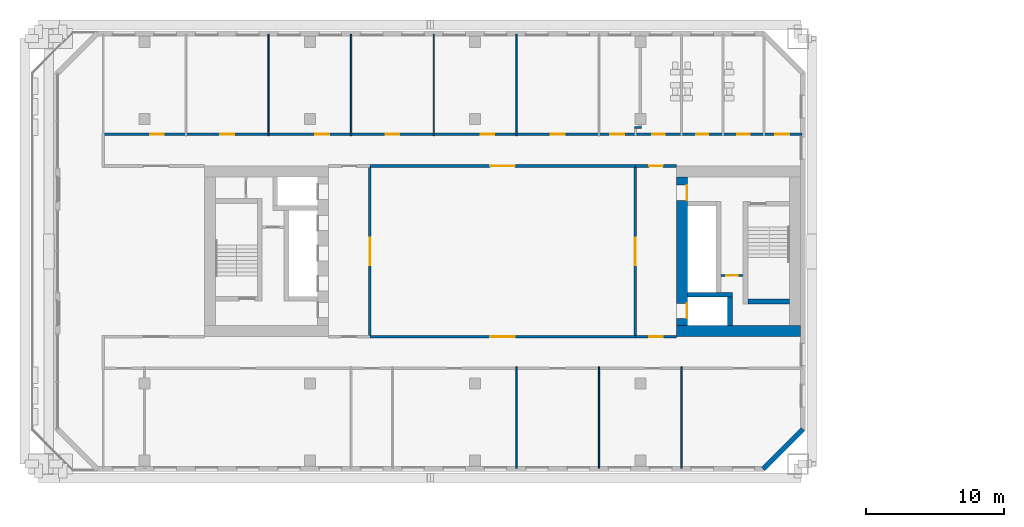
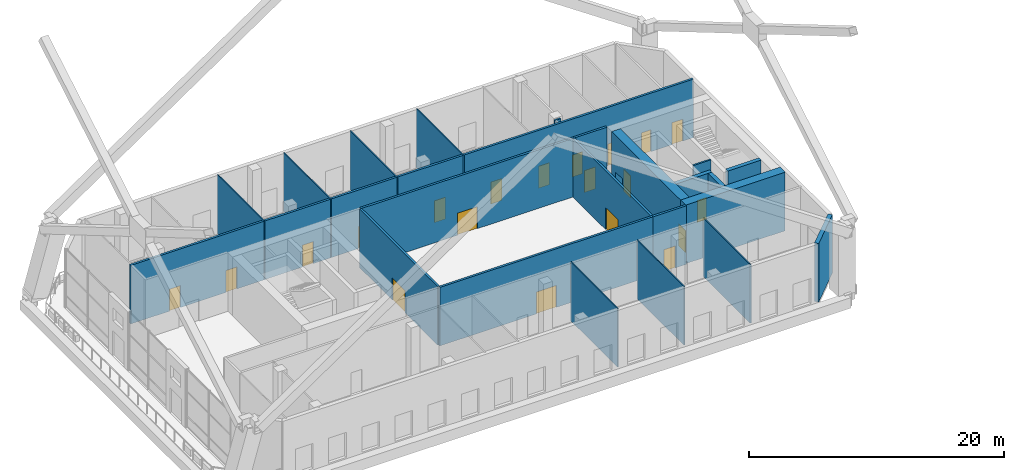
# One storey, part 11 of 20: 22 walls, 20 doors, 20 openings.
"""IFC4 building model written with IfcOpenShell, lengths in metres."""

from ifc_helpers import new_model, si_unit, direction, frame, frame_2d, origin, place, context, subcontext, project, spatial, rectangle, extrude, material, layer, layer_set, type_object, element, fill, save


model = new_model("IFC4")

# Units and contexts
model_context = context("Model", 3, precision=1e-05, world=origin(), true_north=direction((0.0, 1.0)))
body_context = subcontext(model_context, "Body", "Model", "MODEL_VIEW")
ifc_project = project(units=[si_unit("LENGTHUNIT", "METRE"), si_unit("AREAUNIT", "SQUARE_METRE"), si_unit("VOLUMEUNIT", "CUBIC_METRE"), si_unit("PLANEANGLEUNIT", "RADIAN"), si_unit("MASSUNIT", "GRAM", prefix="KILO")], contexts=[model_context])

# Site, building, storey
site_placement = place(None, origin())
site = spatial("IfcSite", under=ifc_project, at=site_placement, CompositionType="ELEMENT")
building_placement = place(site_placement, origin())
building = spatial("IfcBuilding", under=site, at=building_placement, Name="Tuart Gate Housing", CompositionType="ELEMENT")
storey_placement = place(building_placement, frame((0.0, 0.0, 38.10009765625)))
storey = spatial("IfcBuildingStorey", under=building, at=storey_placement, Name="L10", CompositionType="ELEMENT", Elevation=38.10009765625)

# Walls
ifc_material_1 = material(Name="Gypsum board on steel studs", Category="steel")
ifc_layer_1 = layer(ifc_material_1, 0.14990234375)
ifc_layer_set_1 = layer_set([ifc_layer_1], Name="Bathroom wall 150")
wall_type_1 = type_object("IfcWallType", Name="Bathroom wall 150", PredefinedType="PLUMBINGWALL", material=ifc_layer_set_1)
wall_1_placement = place(storey_placement, frame((63.56494140625, 79.0, 0.0), z_axis=(0.0, 0.0, 1.0), x_axis=(1.0, 0.0, 0.0)))
element("IfcWall", 1, at=wall_1_placement, inside=storey, type_object=wall_type_1, Name="Bathroom wall 150", PredefinedType="PLUMBINGWALL", context=body_context, shape_type="SweptSolid", body=[
    extrude(rectangle(XDim=0.510009765625, YDim=0.14990234375, at=frame_2d((0.2548828125, 0.0))), origin(), (0.0, 0.0, 1.0), 5.599853515625),
])
ifc_material_2 = material(Name="Brick", Category="masonry")
ifc_layer_2 = layer(ifc_material_2, 0.360107421875)
ifc_layer_set_2 = layer_set([ifc_layer_2], Name="Brick pier and spandrel wall 360")
wall_type_2 = type_object("IfcWallType", Name="Brick pier and spandrel wall 360", PredefinedType="STANDARD", material=ifc_layer_set_2)
wall_2_placement = place(storey_placement, frame((72.92529296875, 54.179931640625, 0.0), z_axis=(0.0, 0.0, 1.0), x_axis=(0.707106781187, 0.707106781187, 0.0)))
element("IfcWall", 2, at=wall_2_placement, inside=storey, type_object=wall_type_2, Name="External wall A-SE L10", PredefinedType="STANDARD", context=body_context, shape_type="SweptSolid", body=[
    extrude(rectangle(XDim=4.09375, YDim=0.360107421875, at=frame_2d((2.046875, 0.0))), origin(), (0.0, 0.0, 1.0), 5.599853515625),
])

# Wall, opening, door
ifc_material_3 = material(Name="Plasterboard partition")
ifc_layer_3 = layer(ifc_material_3, 0.14990234375)
ifc_layer_set_3 = layer_set([ifc_layer_3], Name="Core partition 150")
wall_type_3 = type_object("IfcWallType", Name="Core partition 150", PredefinedType="PARTITIONING", material=ifc_layer_set_3)
wall_3_placement = place(storey_placement, frame((69.864990234375, 68.25, 0.0), z_axis=(0.0, 0.0, 1.0), x_axis=(1.0, 0.0, 0.0)))
wall_3 = element("IfcWall", 3, at=wall_3_placement, inside=storey, type_object=wall_type_3, Name="Core partition AG.3", PredefinedType="PARTITIONING", context=body_context, shape_type="SweptSolid", body=[
    extrude(rectangle(XDim=1.60009765625, YDim=0.14990234375, at=frame_2d((0.800048828125, 0.0))), origin(), (0.0, 0.0, 1.0), 5.599853515625),
])
opening_1_placement = place(wall_3_placement, frame((0.375, 0.0, 0.0)))
opening_1 = element("IfcOpeningElement", 4, at=opening_1_placement, cuts=wall_3, Name="Opening D2805", PredefinedType="OPENING", context=body_context, shape_type="SweptSolid", body=[
    extrude(rectangle(XDim=0.85009765625, YDim=2.10009765625, at=frame_2d((0.425048828125, 1.050048828125))), frame((0.0, 0.0849609375, 0.0), z_axis=(0.0, -1.0, 0.0), x_axis=(1.0, 0.0, 0.0)), (0.0, 0.0, 1.0), 0.169921875),
])
ifc_material_4 = material(Name="Steel fire door", Category="steel")
door_type_1 = type_object("IfcDoorType", Name="Riser door 850 x 2100 RH", OperationType="SINGLE_SWING_RIGHT", PredefinedType="DOOR", material=ifc_material_4)
door_1_placement = place(opening_1_placement, frame((0.85009765625, 0.0, 0.0), z_axis=(0.0, 0.0, 1.0), x_axis=(-1.0, 0.0, 0.0)))
door_1 = element("IfcDoor", 5, at=door_1_placement, inside=storey, type_object=door_type_1, Name="Service room door AG.E1", OperationType="SINGLE_SWING_RIGHT", OverallHeight=2.10009765625, OverallWidth=0.85009765625, PredefinedType="DOOR", context=body_context, shape_type="SweptSolid", body=[
    extrude(rectangle(XDim=0.85009765625, YDim=2.10009765625, at=frame_2d((0.425048828125, 1.050048828125))), frame((0.0, 0.025146484375, 0.0), z_axis=(0.0, -1.0, 0.0), x_axis=(1.0, 0.0, 0.0)), (0.0, 0.0, 1.0), 0.050048828125),
])
fill(opening_1, door_1)

# Walls
ifc_material_5 = material(Name="Concrete C60", Category="concrete")
ifc_layer_4 = layer(ifc_material_5, 0.35009765625)
ifc_layer_set_4 = layer_set([ifc_layer_4], Name="Core wall 350 C60")
wall_type_4 = type_object("IfcWallType", Name="Core wall 350 C60", PredefinedType="SHEAR", material=ifc_layer_set_4)
wall_4_placement = place(storey_placement, frame((71.81494140625, 66.35009765625, 0.0), z_axis=(0.0, 0.0, 1.0), x_axis=(1.0, 0.0, 0.0)))
element("IfcWall", 6, at=wall_4_placement, inside=storey, type_object=wall_type_4, Name="Core wall AG.1", PredefinedType="SHEAR", context=body_context, shape_type="SweptSolid", body=[
    extrude(rectangle(XDim=3.025146484375, YDim=0.35009765625, at=frame_2d((1.5126953125, 0.0))), origin(), (0.0, 0.0, 1.0), 5.599853515625),
])
wall_5_placement = place(storey_placement, frame((67.43994140625, 66.85009765625, 0.0), z_axis=(0.0, 0.0, 1.0), x_axis=(1.0, 0.0, 0.0)))
element("IfcWall", 7, at=wall_5_placement, inside=storey, type_object=wall_type_4, Name="Core wall AG.2", PredefinedType="SHEAR", context=body_context, shape_type="SweptSolid", body=[
    extrude(rectangle(XDim=3.2451171875, YDim=0.35009765625, at=frame_2d((1.62255859375, 0.0))), origin(), (0.0, 0.0, 1.0), 5.599853515625),
])
wall_6_placement = place(storey_placement, frame((70.510009765625, 64.60009765625, 0.0), z_axis=(0.0, 0.0, 1.0), x_axis=(0.0, 1.0, 0.0)))
element("IfcWall", 8, at=wall_6_placement, inside=storey, type_object=wall_type_4, Name="Core wall AG.7", PredefinedType="SHEAR", context=body_context, shape_type="SweptSolid", body=[
    extrude(rectangle(XDim=2.074951171875, YDim=0.35009765625, at=frame_2d((1.03759765625, 0.0))), origin(), (0.0, 0.0, 1.0), 5.599853515625),
])

# Wall, openings, doors
ifc_material_6 = material(Name="Concrete C60", Category="concrete")
ifc_layer_5 = layer(ifc_material_6, 0.800048828125)
ifc_layer_set_5 = layer_set([ifc_layer_5], Name="Core wall 800 C60")
wall_type_5 = type_object("IfcWallType", Name="Core wall 800 C60", PredefinedType="SHEAR", material=ifc_layer_set_5)
wall_7_placement = place(storey_placement, frame((67.0400390625, 64.60009765625, 0.0), z_axis=(0.0, 0.0, 1.0), x_axis=(0.0, 1.0, 0.0)))
wall_7 = element("IfcWall", 9, at=wall_7_placement, inside=storey, type_object=wall_type_5, Name="Core wall AG front", PredefinedType="SHEAR", context=body_context, shape_type="SweptSolid", body=[
    extrude(rectangle(XDim=10.7998046875, YDim=0.800048828125, at=frame_2d((5.39990234375, 0.0))), origin(), (0.0, 0.0, 1.0), 5.599853515625),
])
opening_2_placement = place(wall_7_placement, frame((0.52490234375, 0.0, 0.0)))
opening_2 = element("IfcOpeningElement", 10, at=opening_2_placement, cuts=wall_7, Name="Opening LD-FA1", PredefinedType="OPENING", context=body_context, shape_type="SweptSolid", body=[
    extrude(rectangle(XDim=1.10009765625, YDim=2.10009765625, at=frame_2d((0.550048828125, 1.050048828125))), frame((0.0, 0.409912109375, 0.0), z_axis=(0.0, -1.0, 0.0), x_axis=(1.0, 0.0, 0.0)), (0.0, 0.0, 1.0), 0.820068359375),
])
opening_3_placement = place(wall_7_placement, frame((9.10009765625, 0.0, 0.0)))
opening_3 = element("IfcOpeningElement", 11, at=opening_3_placement, cuts=wall_7, Name="Opening D2804", PredefinedType="OPENING", context=body_context, shape_type="SweptSolid", body=[
    extrude(rectangle(XDim=1.10009765625, YDim=2.10009765625, at=frame_2d((0.550048828125, 1.050048828125))), frame((0.0, 0.409912109375, 0.0), z_axis=(0.0, -1.0, 0.0), x_axis=(1.0, 0.0, 0.0)), (0.0, 0.0, 1.0), 0.820068359375),
])
ifc_material_7 = material(Name="Stainless steel", Category="steel")
door_type_2 = type_object("IfcDoorType", Name="Landing door 1100 x 2100", OperationType="DOUBLE_DOOR_SLIDING", PredefinedType="DOOR", material=ifc_material_7)
door_2_placement = place(opening_2_placement, origin())
door_2 = element("IfcDoor", 12, at=door_2_placement, inside=storey, type_object=door_type_2, Name="Lift landing door FA1", OperationType="DOUBLE_DOOR_SLIDING", OverallHeight=2.10009765625, OverallWidth=1.10009765625, PredefinedType="DOOR", context=body_context, shape_type="SweptSolid", body=[
    extrude(rectangle(XDim=1.10009765625, YDim=2.10009765625, at=frame_2d((0.550048828125, 1.050048828125))), frame((0.0, -0.3349609375, 0.0), z_axis=(0.0, -1.0, 0.0), x_axis=(1.0, 0.0, 0.0)), (0.0, 0.0, 1.0), 0.050048828125),
])
fill(opening_2, door_2)
ifc_material_8 = material(Name="Steel fire door", Category="steel")
door_type_3 = type_object("IfcDoorType", Name="Lobby door 1100 x 2100 RH", OperationType="SINGLE_SWING_RIGHT", PredefinedType="DOOR", material=ifc_material_8)
door_3_placement = place(opening_3_placement, frame((1.10009765625, 0.0, 0.0), z_axis=(0.0, 0.0, 1.0), x_axis=(-1.0, 0.0, 0.0)))
door_3 = element("IfcDoor", 13, at=door_3_placement, inside=storey, type_object=door_type_3, Name="Lobby entry door AG.EN", OperationType="SINGLE_SWING_RIGHT", OverallHeight=2.10009765625, OverallWidth=1.10009765625, PredefinedType="DOOR", context=body_context, shape_type="SweptSolid", body=[
    extrude(rectangle(XDim=1.10009765625, YDim=2.10009765625, at=frame_2d((0.550048828125, 1.050048828125))), frame((0.0, 0.385009765625, 0.0), z_axis=(0.0, -1.0, 0.0), x_axis=(1.0, 0.0, 0.0)), (0.0, 0.0, 1.0), 0.050048828125),
])
fill(opening_3, door_3)

# Wall
wall_8_placement = place(storey_placement, frame((66.639892578125, 64.199951171875, 0.0), z_axis=(0.0, 0.0, 1.0), x_axis=(1.0, 0.0, 0.0)))
element("IfcWall", 14, at=wall_8_placement, inside=storey, type_object=wall_type_5, Name="Core wall AG south", PredefinedType="SHEAR", context=body_context, shape_type="SweptSolid", body=[
    extrude(rectangle(XDim=9.0, YDim=0.800048828125, at=frame_2d((4.5, 0.0))), origin(), (0.0, 0.0, 1.0), 5.599853515625),
])

# Wall, opening, door
ifc_material_9 = material(Name="Concrete masonry 15 MPa", Category="masonry")
ifc_layer_6 = layer(ifc_material_9, 0.199951171875)
ifc_layer_set_6 = layer_set([ifc_layer_6], Name="Corridor wall masonry 200")
wall_type_6 = type_object("IfcWallType", Name="Corridor wall masonry 200", PredefinedType="PARTITIONING", material=ifc_layer_set_6)
wall_9_placement = place(storey_placement, frame((44.360107421875, 63.800048828125, 0.0), z_axis=(0.0, 0.0, 1.0), x_axis=(1.0, 0.0, 0.0)))
wall_9 = element("IfcWall", 15, at=wall_9_placement, inside=storey, type_object=wall_type_6, Name="Corridor wall masonry 200", PredefinedType="PARTITIONING", context=body_context, shape_type="SweptSolid", body=[
    extrude(rectangle(XDim=19.27978515625, YDim=0.199951171875, at=frame_2d((9.639892578125, 0.0))), origin(), (0.0, 0.0, 1.0), 5.599853515625),
])
opening_4_placement = place(wall_9_placement, frame((8.739990234375, 0.0, 0.0)))
opening_4 = element("IfcOpeningElement", 16, at=opening_4_placement, cuts=wall_9, Name="Opening D2810", PredefinedType="OPENING", context=body_context, shape_type="SweptSolid", body=[
    extrude(rectangle(XDim=1.800048828125, YDim=2.10009765625, at=frame_2d((0.89990234375, 1.050048828125))), frame((0.0, 0.10986328125, 0.0), z_axis=(0.0, -1.0, 0.0), x_axis=(1.0, 0.0, 0.0)), (0.0, 0.0, 1.0), 0.219970703125),
])
ifc_material_10 = material(Name="Timber door leaf in steel frame", Category="steel")
door_type_4 = type_object("IfcDoorType", Name="Double door 1800", OperationType="DOUBLE_DOOR_SINGLE_SWING", PredefinedType="DOOR", material=ifc_material_10)
door_4_placement = place(opening_4_placement, origin())
door_4 = element("IfcDoor", 17, at=door_4_placement, inside=storey, type_object=door_type_4, Name="Double door 1800", OperationType="DOUBLE_DOOR_SINGLE_SWING", OverallHeight=2.10009765625, OverallWidth=1.800048828125, PredefinedType="DOOR", context=body_context, shape_type="SweptSolid", body=[
    extrude(rectangle(XDim=1.800048828125, YDim=2.10009765625, at=frame_2d((0.89990234375, 1.050048828125))), frame((0.0, 0.02490234375, 0.0), z_axis=(0.0, -1.0, 0.0), x_axis=(1.0, 0.0, 0.0)), (0.0, 0.0, 1.0), 0.050048828125),
])
fill(opening_4, door_4)

wall_10_placement = place(storey_placement, frame((44.360107421875, 76.199951171875, 0.0), z_axis=(0.0, 0.0, 1.0), x_axis=(1.0, 0.0, 0.0)))
wall_10 = element("IfcWall", 18, at=wall_10_placement, inside=storey, type_object=wall_type_6, Name="Corridor wall masonry 200", PredefinedType="PARTITIONING", context=body_context, shape_type="SweptSolid", body=[
    extrude(rectangle(XDim=19.27978515625, YDim=0.199951171875, at=frame_2d((9.639892578125, 0.0))), origin(), (0.0, 0.0, 1.0), 5.599853515625),
])
opening_5_placement = place(wall_10_placement, frame((8.739990234375, 0.0, 0.0)))
opening_5 = element("IfcOpeningElement", 19, at=opening_5_placement, cuts=wall_10, Name="Opening D2795", PredefinedType="OPENING", context=body_context, shape_type="SweptSolid", body=[
    extrude(rectangle(XDim=1.800048828125, YDim=2.10009765625, at=frame_2d((0.89990234375, 1.050048828125))), frame((0.0, 0.10986328125, 0.0), z_axis=(0.0, -1.0, 0.0), x_axis=(1.0, 0.0, 0.0)), (0.0, 0.0, 1.0), 0.219970703125),
])
door_5_placement = place(opening_5_placement, frame((1.800048828125, 0.0, 0.0), z_axis=(0.0, 0.0, 1.0), x_axis=(-1.0, 0.0, 0.0)))
door_5 = element("IfcDoor", 20, at=door_5_placement, inside=storey, type_object=door_type_4, Name="Double door 1800", OperationType="DOUBLE_DOOR_SINGLE_SWING", OverallHeight=2.10009765625, OverallWidth=1.800048828125, PredefinedType="DOOR", context=body_context, shape_type="SweptSolid", body=[
    extrude(rectangle(XDim=1.800048828125, YDim=2.10009765625, at=frame_2d((0.900146484375, 1.050048828125))), frame((0.0, 0.025146484375, 0.0), z_axis=(0.0, -1.0, 0.0), x_axis=(1.0, 0.0, 0.0)), (0.0, 0.0, 1.0), 0.050048828125),
])
fill(opening_5, door_5)

# Wall, openings, doors
wall_11_placement = place(storey_placement, frame((24.89990234375, 78.5, 0.0), z_axis=(0.0, 0.0, 1.0), x_axis=(1.0, 0.0, 0.0)))
wall_11 = element("IfcWall", 21, at=wall_11_placement, inside=storey, type_object=wall_type_6, Name="Corridor wall masonry 200", PredefinedType="PARTITIONING", context=body_context, shape_type="SweptSolid", body=[
    extrude(rectangle(XDim=50.860107421875, YDim=0.199951171875, at=frame_2d((25.43017578125, 0.0))), origin(), (0.0, 0.0, 1.0), 5.599853515625),
])
opening_6_placement = place(wall_11_placement, frame((3.5, 0.0, 0.0)))
opening_6 = element("IfcOpeningElement", 22, at=opening_6_placement, cuts=wall_11, Name="Opening D2782", PredefinedType="OPENING", context=body_context, shape_type="SweptSolid", body=[
    extrude(rectangle(XDim=1.0, YDim=2.10009765625, at=frame_2d((0.5, 1.050048828125))), frame((0.0, 0.10986328125, 0.0), z_axis=(0.0, -1.0, 0.0), x_axis=(1.0, 0.0, 0.0)), (0.0, 0.0, 1.0), 0.219970703125),
])
opening_7_placement = place(wall_11_placement, frame((8.60009765625, 0.0, 0.0)))
opening_7 = element("IfcOpeningElement", 23, at=opening_7_placement, cuts=wall_11, Name="Opening D2783", PredefinedType="OPENING", context=body_context, shape_type="SweptSolid", body=[
    extrude(rectangle(XDim=1.0, YDim=2.10009765625, at=frame_2d((0.5, 1.050048828125))), frame((0.0, 0.10986328125, 0.0), z_axis=(0.0, -1.0, 0.0), x_axis=(1.0, 0.0, 0.0)), (0.0, 0.0, 1.0), 0.219970703125),
])
opening_8_placement = place(wall_11_placement, frame((15.5, 0.0, 0.0)))
opening_8 = element("IfcOpeningElement", 24, at=opening_8_placement, cuts=wall_11, Name="Opening D2784", PredefinedType="OPENING", context=body_context, shape_type="SweptSolid", body=[
    extrude(rectangle(XDim=1.0, YDim=2.10009765625, at=frame_2d((0.5, 1.050048828125))), frame((0.0, 0.10986328125, 0.0), z_axis=(0.0, -1.0, 0.0), x_axis=(1.0, 0.0, 0.0)), (0.0, 0.0, 1.0), 0.219970703125),
])
opening_9_placement = place(wall_11_placement, frame((20.60009765625, 0.0, 0.0)))
opening_9 = element("IfcOpeningElement", 25, at=opening_9_placement, cuts=wall_11, Name="Opening D2785", PredefinedType="OPENING", context=body_context, shape_type="SweptSolid", body=[
    extrude(rectangle(XDim=1.0, YDim=2.10009765625, at=frame_2d((0.5, 1.050048828125))), frame((0.0, 0.10986328125, 0.0), z_axis=(0.0, -1.0, 0.0), x_axis=(1.0, 0.0, 0.0)), (0.0, 0.0, 1.0), 0.219970703125),
])
opening_10_placement = place(wall_11_placement, frame((27.5, 0.0, 0.0)))
opening_10 = element("IfcOpeningElement", 26, at=opening_10_placement, cuts=wall_11, Name="Opening D2786", PredefinedType="OPENING", context=body_context, shape_type="SweptSolid", body=[
    extrude(rectangle(XDim=1.0, YDim=2.10009765625, at=frame_2d((0.5, 1.050048828125))), frame((0.0, 0.10986328125, 0.0), z_axis=(0.0, -1.0, 0.0), x_axis=(1.0, 0.0, 0.0)), (0.0, 0.0, 1.0), 0.219970703125),
])
opening_11_placement = place(wall_11_placement, frame((32.60009765625, 0.0, 0.0)))
opening_11 = element("IfcOpeningElement", 27, at=opening_11_placement, cuts=wall_11, Name="Opening D2787", PredefinedType="OPENING", context=body_context, shape_type="SweptSolid", body=[
    extrude(rectangle(XDim=1.0, YDim=2.10009765625, at=frame_2d((0.5, 1.050048828125))), frame((0.0, 0.10986328125, 0.0), z_axis=(0.0, -1.0, 0.0), x_axis=(1.0, 0.0, 0.0)), (0.0, 0.0, 1.0), 0.219970703125),
])
opening_12_placement = place(wall_11_placement, frame((36.919921875, 0.0, 0.0)))
opening_12 = element("IfcOpeningElement", 28, at=opening_12_placement, cuts=wall_11, Name="Opening D2788", PredefinedType="OPENING", context=body_context, shape_type="SweptSolid", body=[
    extrude(rectangle(XDim=1.0, YDim=2.10009765625, at=frame_2d((0.5, 1.050048828125))), frame((0.0, 0.10986328125, 0.0), z_axis=(0.0, -1.0, 0.0), x_axis=(1.0, 0.0, 0.0)), (0.0, 0.0, 1.0), 0.219970703125),
])
opening_13_placement = place(wall_11_placement, frame((39.969970703125, 0.0, 0.0)))
opening_13 = element("IfcOpeningElement", 29, at=opening_13_placement, cuts=wall_11, Name="Opening D2790", PredefinedType="OPENING", context=body_context, shape_type="SweptSolid", body=[
    extrude(rectangle(XDim=0.89990234375, YDim=2.10009765625, at=frame_2d((0.449951171875, 1.050048828125))), frame((0.0, 0.10986328125, 0.0), z_axis=(0.0, -1.0, 0.0), x_axis=(1.0, 0.0, 0.0)), (0.0, 0.0, 1.0), 0.219970703125),
])
opening_14_placement = place(wall_11_placement, frame((43.14990234375, 0.0, 0.0)))
opening_14 = element("IfcOpeningElement", 30, at=opening_14_placement, cuts=wall_11, Name="Opening D2791", PredefinedType="OPENING", context=body_context, shape_type="SweptSolid", body=[
    extrude(rectangle(XDim=0.89990234375, YDim=2.10009765625, at=frame_2d((0.449951171875, 1.050048828125))), frame((0.0, 0.10986328125, 0.0), z_axis=(0.0, -1.0, 0.0), x_axis=(1.0, 0.0, 0.0)), (0.0, 0.0, 1.0), 0.219970703125),
])
opening_15_placement = place(wall_11_placement, frame((46.14990234375, 0.0, 0.0)))
opening_15 = element("IfcOpeningElement", 31, at=opening_15_placement, cuts=wall_11, Name="Opening D2792", PredefinedType="OPENING", context=body_context, shape_type="SweptSolid", body=[
    extrude(rectangle(XDim=0.89990234375, YDim=2.10009765625, at=frame_2d((0.449951171875, 1.050048828125))), frame((0.0, 0.10986328125, 0.0), z_axis=(0.0, -1.0, 0.0), x_axis=(1.0, 0.0, 0.0)), (0.0, 0.0, 1.0), 0.219970703125),
])
opening_16_placement = place(wall_11_placement, frame((48.919921875, 0.0, 0.0)))
opening_16 = element("IfcOpeningElement", 32, at=opening_16_placement, cuts=wall_11, Name="Opening D2789", PredefinedType="OPENING", context=body_context, shape_type="SweptSolid", body=[
    extrude(rectangle(XDim=1.0, YDim=2.10009765625, at=frame_2d((0.5, 1.050048828125))), frame((0.0, 0.10986328125, 0.0), z_axis=(0.0, -1.0, 0.0), x_axis=(1.0, 0.0, 0.0)), (0.0, 0.0, 1.0), 0.219970703125),
])
ifc_material_11 = material(Name="Timber door leaf in steel frame", Category="steel")
door_type_5 = type_object("IfcDoorType", Name="Fire door 1000", OperationType="SINGLE_SWING_LEFT", PredefinedType="DOOR", material=ifc_material_11)
door_6_placement = place(opening_7_placement, origin())
door_6 = element("IfcDoor", 33, at=door_6_placement, inside=storey, type_object=door_type_5, Name="Fire door 1000", OperationType="SINGLE_SWING_LEFT", OverallHeight=2.10009765625, OverallWidth=1.0, PredefinedType="DOOR", context=body_context, shape_type="SweptSolid", body=[
    extrude(rectangle(XDim=1.0, YDim=2.10009765625, at=frame_2d((0.5, 1.050048828125))), frame((0.0, 0.02490234375, 0.0), z_axis=(0.0, -1.0, 0.0), x_axis=(1.0, 0.0, 0.0)), (0.0, 0.0, 1.0), 0.050048828125),
])
fill(opening_7, door_6)
door_7_placement = place(opening_9_placement, origin())
door_7 = element("IfcDoor", 34, at=door_7_placement, inside=storey, type_object=door_type_5, Name="Fire door 1000", OperationType="SINGLE_SWING_LEFT", OverallHeight=2.10009765625, OverallWidth=1.0, PredefinedType="DOOR", context=body_context, shape_type="SweptSolid", body=[
    extrude(rectangle(XDim=1.0, YDim=2.10009765625, at=frame_2d((0.5, 1.050048828125))), frame((0.0, 0.02490234375, 0.0), z_axis=(0.0, -1.0, 0.0), x_axis=(1.0, 0.0, 0.0)), (0.0, 0.0, 1.0), 0.050048828125),
])
fill(opening_9, door_7)
door_8_placement = place(opening_11_placement, origin())
door_8 = element("IfcDoor", 35, at=door_8_placement, inside=storey, type_object=door_type_5, Name="Fire door 1000", OperationType="SINGLE_SWING_LEFT", OverallHeight=2.10009765625, OverallWidth=1.0, PredefinedType="DOOR", context=body_context, shape_type="SweptSolid", body=[
    extrude(rectangle(XDim=1.0, YDim=2.10009765625, at=frame_2d((0.5, 1.050048828125))), frame((0.0, 0.02490234375, 0.0), z_axis=(0.0, -1.0, 0.0), x_axis=(1.0, 0.0, 0.0)), (0.0, 0.0, 1.0), 0.050048828125),
])
fill(opening_11, door_8)
door_9_placement = place(opening_12_placement, origin())
door_9 = element("IfcDoor", 36, at=door_9_placement, inside=storey, type_object=door_type_5, Name="Fire door 1000", OperationType="SINGLE_SWING_LEFT", OverallHeight=2.10009765625, OverallWidth=1.0, PredefinedType="DOOR", context=body_context, shape_type="SweptSolid", body=[
    extrude(rectangle(XDim=1.0, YDim=2.10009765625, at=frame_2d((0.5, 1.050048828125))), frame((0.0, 0.02490234375, 0.0), z_axis=(0.0, -1.0, 0.0), x_axis=(1.0, 0.0, 0.0)), (0.0, 0.0, 1.0), 0.050048828125),
])
fill(opening_12, door_9)
door_10_placement = place(opening_16_placement, origin())
door_10 = element("IfcDoor", 37, at=door_10_placement, inside=storey, type_object=door_type_5, Name="Fire door 1000", OperationType="SINGLE_SWING_LEFT", OverallHeight=2.10009765625, OverallWidth=1.0, PredefinedType="DOOR", context=body_context, shape_type="SweptSolid", body=[
    extrude(rectangle(XDim=1.0, YDim=2.10009765625, at=frame_2d((0.5, 1.050048828125))), frame((0.0, 0.02490234375, 0.0), z_axis=(0.0, -1.0, 0.0), x_axis=(1.0, 0.0, 0.0)), (0.0, 0.0, 1.0), 0.050048828125),
])
fill(opening_16, door_10)
ifc_material_12 = material(Name="Timber door leaf in steel frame", Category="steel")
door_type_6 = type_object("IfcDoorType", Name="Fire door 1000 RH", OperationType="SINGLE_SWING_RIGHT", PredefinedType="DOOR", material=ifc_material_12)
door_11_placement = place(opening_6_placement, origin())
door_11 = element("IfcDoor", 38, at=door_11_placement, inside=storey, type_object=door_type_6, Name="Fire door 1000", OperationType="SINGLE_SWING_RIGHT", OverallHeight=2.10009765625, OverallWidth=1.0, PredefinedType="DOOR", context=body_context, shape_type="SweptSolid", body=[
    extrude(rectangle(XDim=1.0, YDim=2.10009765625, at=frame_2d((0.5, 1.050048828125))), frame((0.0, 0.02490234375, 0.0), z_axis=(0.0, -1.0, 0.0), x_axis=(1.0, 0.0, 0.0)), (0.0, 0.0, 1.0), 0.050048828125),
])
fill(opening_6, door_11)
door_12_placement = place(opening_8_placement, origin())
door_12 = element("IfcDoor", 39, at=door_12_placement, inside=storey, type_object=door_type_6, Name="Fire door 1000", OperationType="SINGLE_SWING_RIGHT", OverallHeight=2.10009765625, OverallWidth=1.0, PredefinedType="DOOR", context=body_context, shape_type="SweptSolid", body=[
    extrude(rectangle(XDim=1.0, YDim=2.10009765625, at=frame_2d((0.5, 1.050048828125))), frame((0.0, 0.02490234375, 0.0), z_axis=(0.0, -1.0, 0.0), x_axis=(1.0, 0.0, 0.0)), (0.0, 0.0, 1.0), 0.050048828125),
])
fill(opening_8, door_12)
door_13_placement = place(opening_10_placement, origin())
door_13 = element("IfcDoor", 40, at=door_13_placement, inside=storey, type_object=door_type_6, Name="Fire door 1000", OperationType="SINGLE_SWING_RIGHT", OverallHeight=2.10009765625, OverallWidth=1.0, PredefinedType="DOOR", context=body_context, shape_type="SweptSolid", body=[
    extrude(rectangle(XDim=1.0, YDim=2.10009765625, at=frame_2d((0.5, 1.050048828125))), frame((0.0, 0.02490234375, 0.0), z_axis=(0.0, -1.0, 0.0), x_axis=(1.0, 0.0, 0.0)), (0.0, 0.0, 1.0), 0.050048828125),
])
fill(opening_10, door_13)
ifc_material_13 = material(Name="Timber door leaf in steel frame", Category="steel")
door_type_7 = type_object("IfcDoorType", Name="Fire door 900", OperationType="SINGLE_SWING_LEFT", PredefinedType="DOOR", material=ifc_material_13)
door_14_placement = place(opening_13_placement, origin())
door_14 = element("IfcDoor", 41, at=door_14_placement, inside=storey, type_object=door_type_7, Name="Fire door 900", OperationType="SINGLE_SWING_LEFT", OverallHeight=2.10009765625, OverallWidth=0.89990234375, PredefinedType="DOOR", context=body_context, shape_type="SweptSolid", body=[
    extrude(rectangle(XDim=0.89990234375, YDim=2.10009765625, at=frame_2d((0.449951171875, 1.050048828125))), frame((0.0, 0.02490234375, 0.0), z_axis=(0.0, -1.0, 0.0), x_axis=(1.0, 0.0, 0.0)), (0.0, 0.0, 1.0), 0.050048828125),
])
fill(opening_13, door_14)
door_15_placement = place(opening_14_placement, origin())
door_15 = element("IfcDoor", 42, at=door_15_placement, inside=storey, type_object=door_type_7, Name="Fire door 900", OperationType="SINGLE_SWING_LEFT", OverallHeight=2.10009765625, OverallWidth=0.89990234375, PredefinedType="DOOR", context=body_context, shape_type="SweptSolid", body=[
    extrude(rectangle(XDim=0.89990234375, YDim=2.10009765625, at=frame_2d((0.449951171875, 1.050048828125))), frame((0.0, 0.02490234375, 0.0), z_axis=(0.0, -1.0, 0.0), x_axis=(1.0, 0.0, 0.0)), (0.0, 0.0, 1.0), 0.050048828125),
])
fill(opening_14, door_15)
door_16_placement = place(opening_15_placement, origin())
door_16 = element("IfcDoor", 43, at=door_16_placement, inside=storey, type_object=door_type_7, Name="Fire door 900", OperationType="SINGLE_SWING_LEFT", OverallHeight=2.10009765625, OverallWidth=0.89990234375, PredefinedType="DOOR", context=body_context, shape_type="SweptSolid", body=[
    extrude(rectangle(XDim=0.89990234375, YDim=2.10009765625, at=frame_2d((0.449951171875, 1.050048828125))), frame((0.0, 0.02490234375, 0.0), z_axis=(0.0, -1.0, 0.0), x_axis=(1.0, 0.0, 0.0)), (0.0, 0.0, 1.0), 0.050048828125),
])
fill(opening_15, door_16)

# Wall, opening, door
ifc_material_14 = material(Name="Concrete masonry 15 MPa", Category="masonry")
ifc_layer_7 = layer(ifc_material_14, 0.199951171875)
ifc_layer_set_7 = layer_set([ifc_layer_7], Name="Enclosure wall masonry 200")
wall_type_7 = type_object("IfcWallType", Name="Enclosure wall masonry 200", PredefinedType="PARTITIONING", material=ifc_layer_set_7)
wall_12_placement = place(storey_placement, frame((63.639892578125, 63.800048828125, 0.0), z_axis=(0.0, 0.0, 1.0), x_axis=(1.0, 0.0, 0.0)))
wall_12 = element("IfcWall", 44, at=wall_12_placement, inside=storey, type_object=wall_type_7, Name="Enclosure wall masonry 200", PredefinedType="PARTITIONING", context=body_context, shape_type="SweptSolid", body=[
    extrude(rectangle(XDim=3.0, YDim=0.199951171875, at=frame_2d((1.5, 0.0))), origin(), (0.0, 0.0, 1.0), 5.599853515625),
])
opening_17_placement = place(wall_12_placement, frame((1.0, 0.0, 0.0)))
opening_17 = element("IfcOpeningElement", 45, at=opening_17_placement, cuts=wall_12, Name="Opening D2811", PredefinedType="OPENING", context=body_context, shape_type="SweptSolid", body=[
    extrude(rectangle(XDim=1.0, YDim=2.10009765625, at=frame_2d((0.5, 1.050048828125))), frame((0.0, 0.10986328125, 0.0), z_axis=(0.0, -1.0, 0.0), x_axis=(1.0, 0.0, 0.0)), (0.0, 0.0, 1.0), 0.219970703125),
])
ifc_material_15 = material(Name="Timber door leaf in steel frame", Category="steel")
door_type_8 = type_object("IfcDoorType", Name="Lobby door 1000", OperationType="SINGLE_SWING_LEFT", PredefinedType="DOOR", material=ifc_material_15)
door_17_placement = place(opening_17_placement, origin())
door_17 = element("IfcDoor", 46, at=door_17_placement, inside=storey, type_object=door_type_8, Name="Lobby door 1000", OperationType="SINGLE_SWING_LEFT", OverallHeight=2.10009765625, OverallWidth=1.0, PredefinedType="DOOR", context=body_context, shape_type="SweptSolid", body=[
    extrude(rectangle(XDim=1.0, YDim=2.10009765625, at=frame_2d((0.5, 1.050048828125))), frame((0.0, 0.02490234375, 0.0), z_axis=(0.0, -1.0, 0.0), x_axis=(1.0, 0.0, 0.0)), (0.0, 0.0, 1.0), 0.050048828125),
])
fill(opening_17, door_17)

wall_13_placement = place(storey_placement, frame((63.639892578125, 76.199951171875, 0.0), z_axis=(0.0, 0.0, 1.0), x_axis=(1.0, 0.0, 0.0)))
wall_13 = element("IfcWall", 47, at=wall_13_placement, inside=storey, type_object=wall_type_7, Name="Enclosure wall masonry 200", PredefinedType="PARTITIONING", context=body_context, shape_type="SweptSolid", body=[
    extrude(rectangle(XDim=3.0, YDim=0.199951171875, at=frame_2d((1.5, 0.0))), origin(), (0.0, 0.0, 1.0), 5.599853515625),
])
opening_18_placement = place(wall_13_placement, frame((1.0, 0.0, 0.0)))
opening_18 = element("IfcOpeningElement", 48, at=opening_18_placement, cuts=wall_13, Name="Opening D2796", PredefinedType="OPENING", context=body_context, shape_type="SweptSolid", body=[
    extrude(rectangle(XDim=1.0, YDim=2.10009765625, at=frame_2d((0.5, 1.050048828125))), frame((0.0, 0.10986328125, 0.0), z_axis=(0.0, -1.0, 0.0), x_axis=(1.0, 0.0, 0.0)), (0.0, 0.0, 1.0), 0.219970703125),
])
ifc_material_16 = material(Name="Timber door leaf in steel frame", Category="steel")
door_type_9 = type_object("IfcDoorType", Name="Lobby door 1000 RH", OperationType="SINGLE_SWING_RIGHT", PredefinedType="DOOR", material=ifc_material_16)
door_18_placement = place(opening_18_placement, frame((1.0, 0.0, 0.0), z_axis=(0.0, 0.0, 1.0), x_axis=(-1.0, 0.0, 0.0)))
door_18 = element("IfcDoor", 49, at=door_18_placement, inside=storey, type_object=door_type_9, Name="Lobby door 1000", OperationType="SINGLE_SWING_RIGHT", OverallHeight=2.10009765625, OverallWidth=1.0, PredefinedType="DOOR", context=body_context, shape_type="SweptSolid", body=[
    extrude(rectangle(XDim=1.0, YDim=2.10009765625, at=frame_2d((0.5, 1.050048828125))), frame((0.0, 0.025146484375, 0.0), z_axis=(0.0, -1.0, 0.0), x_axis=(1.0, 0.0, 0.0)), (0.0, 0.0, 1.0), 0.050048828125),
])
fill(opening_18, door_18)

ifc_material_17 = material(Name="Plasterboard partition")
ifc_layer_8 = layer(ifc_material_17, 0.199951171875)
ifc_layer_set_8 = layer_set([ifc_layer_8], Name="Lobby wall 200")
wall_type_8 = type_object("IfcWallType", Name="Lobby wall 200", PredefinedType="PARTITIONING", material=ifc_layer_set_8)
wall_14_placement = place(storey_placement, frame((63.639892578125, 63.89990234375, 0.0), z_axis=(0.0, 0.0, 1.0), x_axis=(0.0, 1.0, 0.0)))
wall_14 = element("IfcWall", 50, at=wall_14_placement, inside=storey, type_object=wall_type_8, Name="Lift lobby wall AG", PredefinedType="PARTITIONING", context=body_context, shape_type="SweptSolid", body=[
    extrude(rectangle(XDim=12.2001953125, YDim=0.199951171875, at=frame_2d((6.10009765625, 0.0))), origin(), (0.0, 0.0, 1.0), 5.599853515625),
])
opening_19_placement = place(wall_14_placement, frame((5.10009765625, 0.0, 0.0)))
opening_19 = element("IfcOpeningElement", 51, at=opening_19_placement, cuts=wall_14, Name="Opening D2803", PredefinedType="OPENING", context=body_context, shape_type="SweptSolid", body=[
    extrude(rectangle(XDim=2.0, YDim=2.10009765625, at=frame_2d((1.0, 1.050048828125))), frame((0.0, 0.10986328125, 0.0), z_axis=(0.0, -1.0, 0.0), x_axis=(1.0, 0.0, 0.0)), (0.0, 0.0, 1.0), 0.219970703125),
])
ifc_material_18 = material(Name="Steel fire door", Category="steel")
door_type_10 = type_object("IfcDoorType", Name="Smoke door 2000 x 2100", OperationType="DOUBLE_DOOR_SINGLE_SWING", PredefinedType="DOOR", material=ifc_material_18)
door_19_placement = place(opening_19_placement, origin())
door_19 = element("IfcDoor", 52, at=door_19_placement, inside=storey, type_object=door_type_10, Name="Lift lobby smoke door AG", OperationType="DOUBLE_DOOR_SINGLE_SWING", OverallHeight=2.10009765625, OverallWidth=2.0, PredefinedType="DOOR", context=body_context, shape_type="SweptSolid", body=[
    extrude(rectangle(XDim=2.0, YDim=2.10009765625, at=frame_2d((1.0, 1.050048828125))), frame((0.0, 0.02490234375, 0.0), z_axis=(0.0, -1.0, 0.0), x_axis=(1.0, 0.0, 0.0)), (0.0, 0.0, 1.0), 0.050048828125),
])
fill(opening_19, door_19)

wall_15_placement = place(storey_placement, frame((44.360107421875, 63.89990234375, 0.0), z_axis=(0.0, 0.0, 1.0), x_axis=(0.0, 1.0, 0.0)))
wall_15 = element("IfcWall", 53, at=wall_15_placement, inside=storey, type_object=wall_type_8, Name="Lift lobby wall AK", PredefinedType="PARTITIONING", context=body_context, shape_type="SweptSolid", body=[
    extrude(rectangle(XDim=12.2001953125, YDim=0.199951171875, at=frame_2d((6.10009765625, 0.0))), origin(), (0.0, 0.0, 1.0), 5.599853515625),
])
opening_20_placement = place(wall_15_placement, frame((5.10009765625, 0.0, 0.0)))
opening_20 = element("IfcOpeningElement", 54, at=opening_20_placement, cuts=wall_15, Name="Opening D2802", PredefinedType="OPENING", context=body_context, shape_type="SweptSolid", body=[
    extrude(rectangle(XDim=2.0, YDim=2.10009765625, at=frame_2d((1.0, 1.050048828125))), frame((0.0, 0.10986328125, 0.0), z_axis=(0.0, -1.0, 0.0), x_axis=(1.0, 0.0, 0.0)), (0.0, 0.0, 1.0), 0.219970703125),
])
door_20_placement = place(opening_20_placement, frame((2.0, 0.0, 0.0), z_axis=(0.0, 0.0, 1.0), x_axis=(-1.0, 0.0, 0.0)))
door_20 = element("IfcDoor", 55, at=door_20_placement, inside=storey, type_object=door_type_10, Name="Lift lobby smoke door AK", OperationType="DOUBLE_DOOR_SINGLE_SWING", OverallHeight=2.10009765625, OverallWidth=2.0, PredefinedType="DOOR", context=body_context, shape_type="SweptSolid", body=[
    extrude(rectangle(XDim=2.0, YDim=2.10009765625, at=frame_2d((1.0, 1.050048828125))), frame((0.0, 0.025146484375, 0.0), z_axis=(0.0, -1.0, 0.0), x_axis=(1.0, 0.0, 0.0)), (0.0, 0.0, 1.0), 0.050048828125),
])
fill(opening_20, door_20)

# Walls
ifc_material_19 = material(Name="Gypsum board on steel studs", Category="steel")
ifc_layer_9 = layer(ifc_material_19, 0.10009765625)
ifc_layer_set_9 = layer_set([ifc_layer_9], Name="Partition 100")
wall_type_9 = type_object("IfcWallType", Name="Partition 100", PredefinedType="PARTITIONING", material=ifc_layer_set_9)
for number, where, z_axis, x_axis, name in (
    (56, (37.0, 78.39990234375, 0.0), (0.0, 0.0, 1.0), (0.0, 1.0, 0.0), "Partition 100"),
    (57, (43.0, 78.39990234375, 0.0), (0.0, 0.0, 1.0), (0.0, 1.0, 0.0), "Partition 100"),
    (58, (49.0, 78.39990234375, 0.0), (0.0, 0.0, 1.0), (0.0, 1.0, 0.0), "Partition 100"),
    (59, (55.0, 54.239990234375, 0.0), (0.0, 0.0, 1.0), (0.0, 1.0, 0.0), "Partition 100"),
    (60, (55.0, 78.39990234375, 0.0), (0.0, 0.0, 1.0), (0.0, 1.0, 0.0), "Partition 100"),
    (61, (61.0, 54.239990234375, 0.0), (0.0, 0.0, 1.0), (0.0, 1.0, 0.0), "Partition 100"),
    (62, (67.0, 54.239990234375, 0.0), (0.0, 0.0, 1.0), (0.0, 1.0, 0.0), "Partition 100"),
):
    element("IfcWall", number, at=place(storey_placement, frame(where, z_axis=z_axis, x_axis=x_axis)), inside=storey, type_object=wall_type_9, Name=name, PredefinedType="PARTITIONING", context=body_context, shape_type="SweptSolid", body=[
        extrude(rectangle(XDim=7.360107421875, YDim=0.10009765625, at=frame_2d((3.68017578125, 0.0))), origin(), (0.0, 0.0, 1.0), 5.599853515625),
    ])

save(model, "model.ifc")
